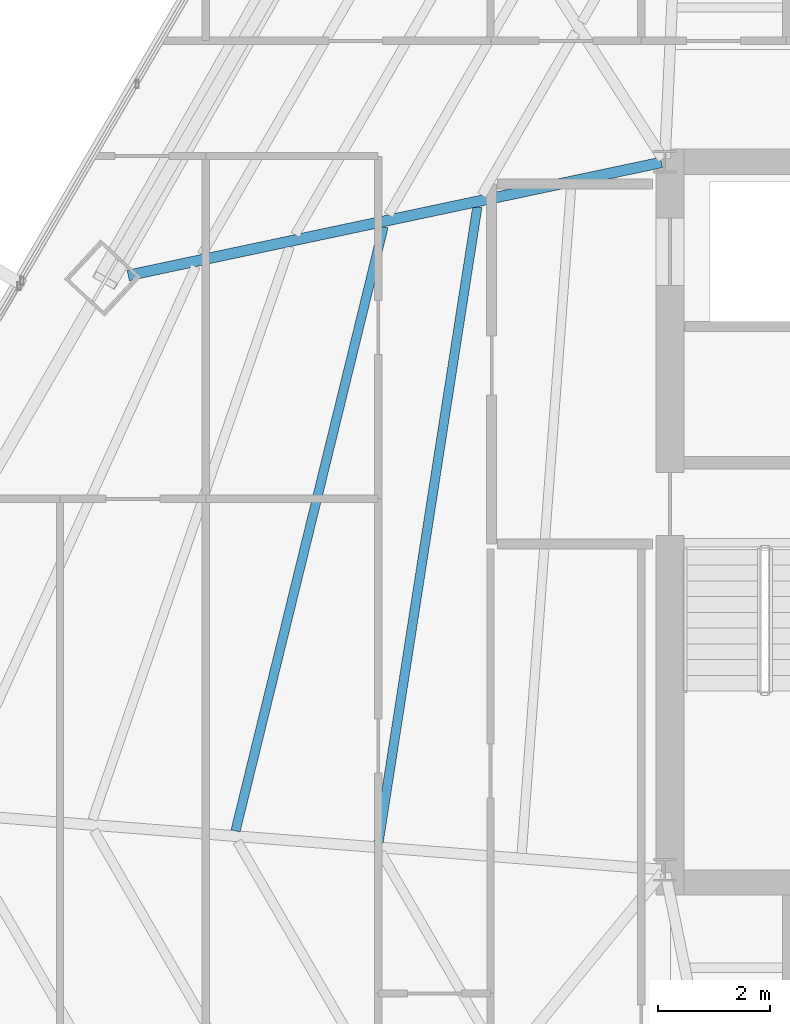
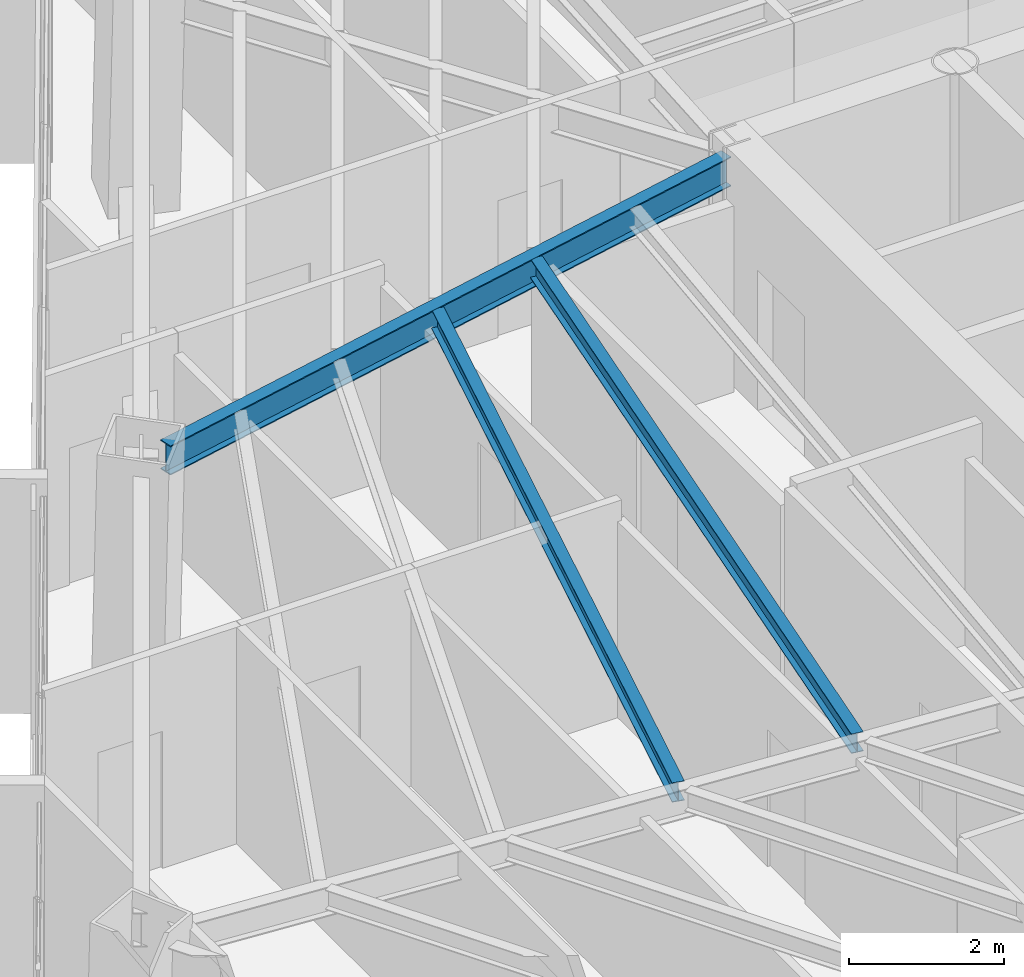
# One storey, part 13 of 42: 3 beams.
"""IFC4 building model written with IfcOpenShell, lengths in metres."""

from ifc_helpers import new_model, si_unit, direction, frame, origin, origin_2d, place, context, subcontext, project, spatial, i_section, extrude, source, transform, mapped, material, material_profile, profile_set, type_object, type_shapes, element, save


model = new_model("IFC4")

# Units and contexts
model_context = context("Model", 3, precision=1e-05, world=origin(), true_north=direction((0.0, 1.0)))
body_context = subcontext(model_context, "Body", "Model", "MODEL_VIEW")
ifc_project = project(units=[si_unit("LENGTHUNIT", "METRE"), si_unit("AREAUNIT", "SQUARE_METRE"), si_unit("VOLUMEUNIT", "CUBIC_METRE"), si_unit("PLANEANGLEUNIT", "RADIAN"), si_unit("MASSUNIT", "GRAM", prefix="KILO")], contexts=[model_context])

# Site, building, storey
site_placement = place(None, origin())
site = spatial("IfcSite", under=ifc_project, at=site_placement, CompositionType="ELEMENT")
building_placement = place(site_placement, origin())
building = spatial("IfcBuilding", under=site, at=building_placement, Name="Caelisora Broadcast Tower", CompositionType="ELEMENT")
storey_placement = place(building_placement, frame((0.0, 0.0, 131.800048828125)))
storey = spatial("IfcBuildingStorey", under=building, at=storey_placement, Name="L34", CompositionType="ELEMENT", Elevation=131.800048828125)

# Beams
ifc_material = material(Name="Steel Grade 350 (AS/NZS 3679.1)", Category="steel")
ifc_material_profile_1 = material_profile(ifc_material, i_section(OverallWidth=0.19091796875, OverallDepth=0.46044921875, WebThickness=0.010009765625, FlangeThickness=0.01611328125, at=origin_2d()), Name="Steel Grade 350 (AS/NZS 3679.1)")
ifc_profile_set_1 = profile_set([ifc_material_profile_1], Name="Steel Grade 350 (AS/NZS 3679.1)")
beam_type_1 = type_object("IfcBeamType", Name="PG06", PredefinedType="BEAM", material=ifc_profile_set_1)
shared_shape_1 = source(origin(), body_context, "Body", "SweptSolid", [
    extrude(i_section(OverallWidth=0.19091796875, OverallDepth=0.46044921875, WebThickness=0.010009765625, FlangeThickness=0.01611328125, at=origin_2d()), origin(), (0.0, 0.0, 1.0), 9.699951171875),
])
type_shapes(beam_type_1, [shared_shape_1])
beam_1_placement = place(storey_placement, frame((30.44140625, 29.987548828125, 3.169677734375), z_axis=(-0.978252080496, -0.207419543452, 0.0), x_axis=(0.207419543452, -0.978252080496, 0.0)))
element("IfcBeam", 1, at=beam_1_placement, inside=storey, type_object=beam_type_1, Name="L34 beam PG06", PredefinedType="BEAM", context=body_context, shape_type="MappedRepresentation", body=[
    mapped(shared_shape_1, transform((0.0, 0.0, 0.0), scale=1.0)),
])
ifc_material_profile_2 = material_profile(ifc_material, i_section(OverallWidth=0.166015625, OverallDepth=0.30712890625, WebThickness=0.006591796875, FlangeThickness=0.01171875, at=origin_2d()), Name="Steel Grade 350 (AS/NZS 3679.1)")
ifc_profile_set_2 = profile_set([ifc_material_profile_2], Name="Steel Grade 350 (AS/NZS 3679.1)")
beam_type_2 = type_object("IfcBeamType", Name="SB03", PredefinedType="JOIST", material=ifc_profile_set_2)
shared_shape_2 = source(origin(), body_context, "Body", "SweptSolid", [
    extrude(i_section(OverallWidth=0.166015625, OverallDepth=0.30712890625, WebThickness=0.006591796875, FlangeThickness=0.01171875, at=origin_2d()), origin(), (0.0, 0.0, 1.0), 11.441650390625),
])
beam_2_placement = place(storey_placement, frame((27.165283203125, 29.1982421875, 3.246337890625), z_axis=(-0.153610707741, -0.988131443922, 0.0), x_axis=(0.988131443922, -0.153610707741, 0.0)))
element("IfcBeam", 2, at=beam_2_placement, inside=storey, type_object=beam_type_2, Name="L34 beam SB03", PredefinedType="JOIST", context=body_context, shape_type="MappedRepresentation", body=[
    mapped(shared_shape_2, transform((0.0, 0.0, 0.0), scale=1.0)),
])
shared_shape_3 = source(origin(), body_context, "Body", "SweptSolid", [
    extrude(i_section(OverallWidth=0.166015625, OverallDepth=0.30712890625, WebThickness=0.006591796875, FlangeThickness=0.01171875, at=origin_2d()), origin(), (0.0, 0.0, 1.0), 11.070068359375),
])
type_shapes(beam_type_2, [shared_shape_2, shared_shape_3])
beam_3_placement = place(storey_placement, frame((25.49609375, 28.84423828125, 3.246337890625), z_axis=(-0.237919683133, -0.971284831745, 0.0), x_axis=(0.971284831745, -0.237919683133, 0.0)))
element("IfcBeam", 3, at=beam_3_placement, inside=storey, type_object=beam_type_2, Name="L34 beam SB03", PredefinedType="JOIST", context=body_context, shape_type="MappedRepresentation", body=[
    mapped(shared_shape_3, transform((0.0, 0.0, 0.0), scale=1.0)),
])

save(model, "model.ifc")
